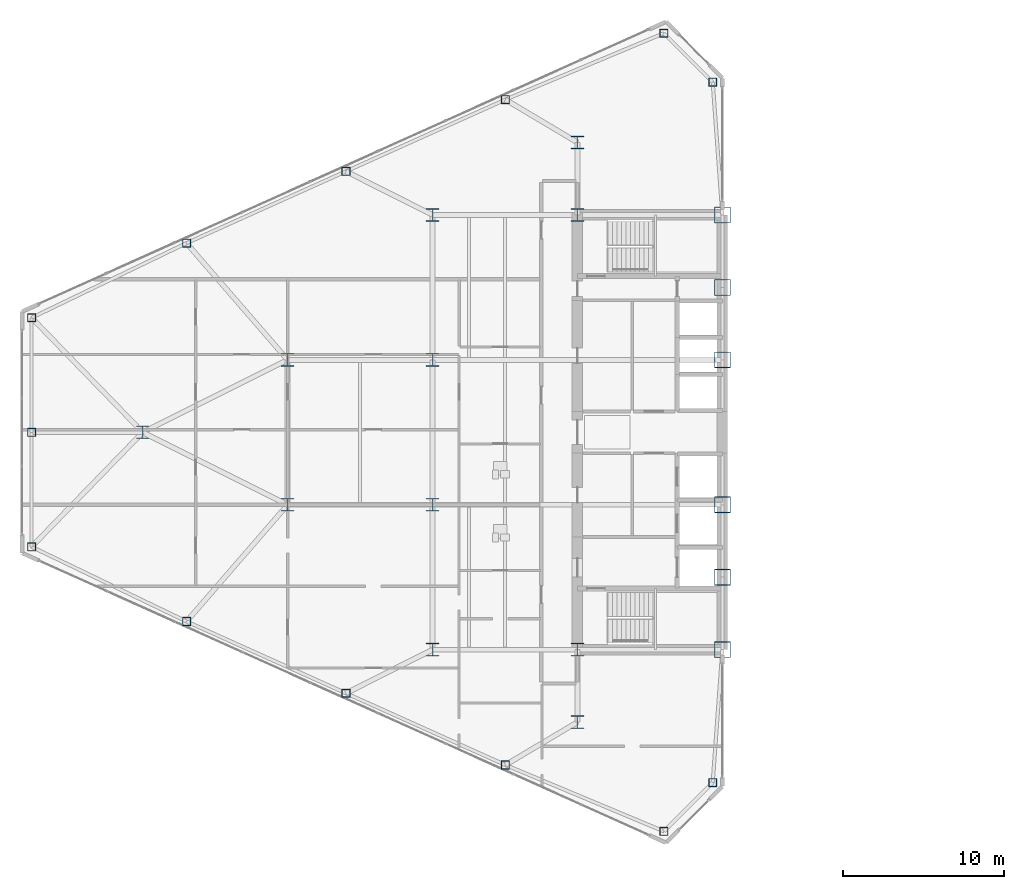
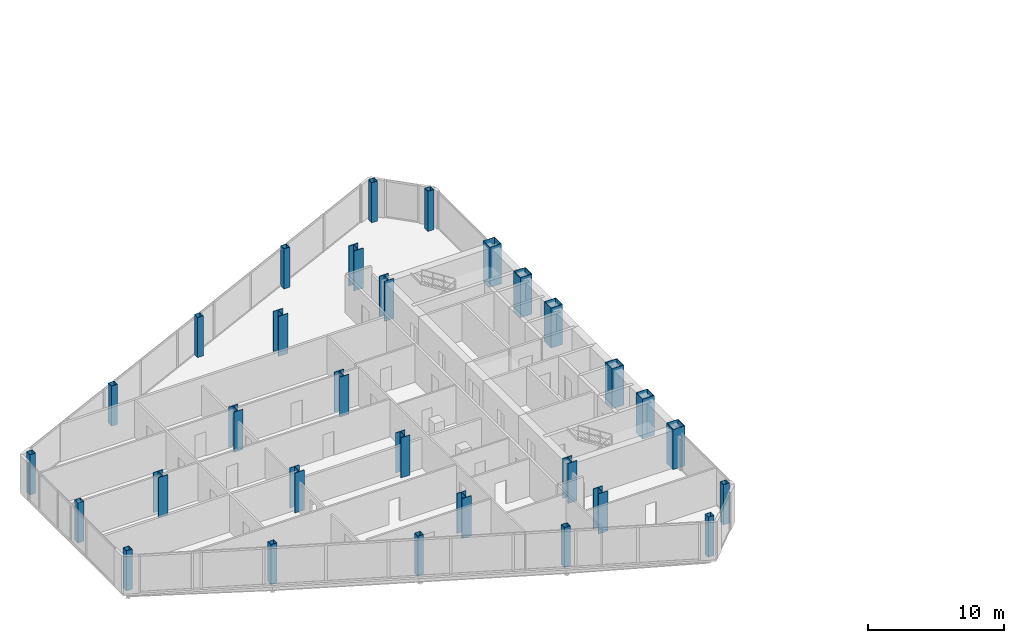
# One storey, part 1 of 27: 30 columns.
"""IFC4 building model written with IfcOpenShell, lengths in metres."""

from ifc_helpers import new_model, si_unit, direction, frame, origin, origin_2d, place, context, subcontext, project, spatial, hollow_rectangle, i_section, extrude, source, transform, mapped, material, material_profile, profile_set, type_object, type_shapes, element, save


model = new_model("IFC4")

# Units and contexts
model_context = context("Model", 3, precision=1e-05, world=origin(), true_north=direction((0.0, 1.0)))
body_context = subcontext(model_context, "Body", "Model", "MODEL_VIEW")
ifc_project = project(units=[si_unit("LENGTHUNIT", "METRE"), si_unit("AREAUNIT", "SQUARE_METRE"), si_unit("VOLUMEUNIT", "CUBIC_METRE"), si_unit("PLANEANGLEUNIT", "RADIAN"), si_unit("MASSUNIT", "GRAM", prefix="KILO")], contexts=[model_context])

# Site, building, storey
site_placement = place(None, origin())
site = spatial("IfcSite", under=ifc_project, at=site_placement, CompositionType="ELEMENT")
building_placement = place(site_placement, origin())
building = spatial("IfcBuilding", under=site, at=building_placement, Name="Seokmaru Belvedere", CompositionType="ELEMENT")
storey_placement = place(building_placement, frame((0.0, 0.0, 65.699951171875)))
storey = spatial("IfcBuildingStorey", under=building, at=storey_placement, Name="L17", CompositionType="ELEMENT", Elevation=65.699951171875)

# Columns
ifc_material_1 = material(Name="Steel SM355 (355 MPa)", Category="steel")
ifc_material_profile_1 = material_profile(ifc_material_1, hollow_rectangle(XDim=0.5, YDim=0.5, WallThickness=0.02001953125, at=origin_2d()), Name="HSS-500x500x20")
ifc_profile_set_1 = profile_set([ifc_material_profile_1], Name="Steel SM355 (355 MPa)")
column_type_1 = type_object("IfcColumnType", Name="Perimeter Facet Column HSS-500", PredefinedType="COLUMN", material=ifc_profile_set_1)
shared_shape_1 = source(origin(), body_context, "Body", "SweptSolid", [
    extrude(hollow_rectangle(XDim=0.5, YDim=0.5, WallThickness=0.02001953125, at=origin_2d()), origin(), (0.0, 0.0, 1.0), 3.60009765625),
])
type_shapes(column_type_1, [shared_shape_1])
for number, where, z_axis, x_axis, name in (
    (1, (-28.10009765625, -21.75146484375, 0.0), (0.0, 0.0, 1.0), (1.0, 0.0, 0.0), "L17 Column WF1"),
    (2, (-28.10009765625, 21.75146484375, 0.0), (0.0, 0.0, 1.0), (1.0, 0.0, 0.0), "L17 Column WF2"),
    (3, (-31.13134765625, 24.782958984375, 0.0), (0.0, 0.0, 1.0), (1.0, 0.0, 0.0), "L17 Column WF3"),
    (4, (-70.39990234375, 7.112060546875, 0.0), (0.0, 0.0, 1.0), (1.0, 0.0, 0.0), "L17 Column WF4"),
    (5, (-70.39990234375, -7.112060546875, 0.0), (0.0, 0.0, 1.0), (1.0, 0.0, 0.0), "L17 Column WF5"),
    (6, (-31.13134765625, -24.782958984375, 0.0), (0.0, 0.0, 1.0), (1.0, 0.0, 0.0), "L17 Column WF6"),
    (7, (-40.97265625, -20.661376953125, 0.0), (0.0, 0.0, 1.0), (1.0, 0.0, 0.0), "L17 Column WFLK_S1"),
    (8, (-50.875, -16.205322265625, 0.0), (0.0, 0.0, 1.0), (1.0, 0.0, 0.0), "L17 Column WFLK_S2"),
    (9, (-60.777587890625, -11.749267578125, 0.0), (0.0, 0.0, 1.0), (1.0, 0.0, 0.0), "L17 Column WFLK_S3"),
    (10, (-40.97265625, 20.661376953125, 0.0), (0.0, 0.0, 1.0), (1.0, 0.0, 0.0), "L17 Column WFLK_N1"),
    (11, (-50.875, 16.205322265625, 0.0), (0.0, 0.0, 1.0), (1.0, 0.0, 0.0), "L17 Column WFLK_N2"),
    (12, (-60.777587890625, 11.749267578125, 0.0), (0.0, 0.0, 1.0), (1.0, 0.0, 0.0), "L17 Column WFLK_N3"),
    (13, (-70.39990234375, 0.0, 0.0), (0.0, 0.0, 1.0), (1.0, 0.0, 0.0), "L17 Column WF_APXM"),
):
    element("IfcColumn", number, at=place(storey_placement, frame(where, z_axis=z_axis, x_axis=x_axis)), inside=storey, type_object=column_type_1, Name=name, PredefinedType="COLUMN", context=body_context, shape_type="MappedRepresentation", body=[
        mapped(shared_shape_1, transform((0.0, 0.0, 0.0), scale=1.0)),
    ])
ifc_material_2 = material(Name="Steel HSA650 (650 MPa)", Category="steel")
ifc_material_profile_2 = material_profile(ifc_material_2, hollow_rectangle(XDim=1.0, YDim=1.0, WallThickness=0.0419921875, at=origin_2d()), Name="BOX-1000x1000x42")
ifc_profile_set_2 = profile_set([ifc_material_profile_2], Name="Steel HSA650 (650 MPa)")
column_type_2 = type_object("IfcColumnType", Name="Portal Spine Column BOX-1000", PredefinedType="COLUMN", material=ifc_profile_set_2)
shared_shape_2 = source(origin(), body_context, "Body", "SweptSolid", [
    extrude(hollow_rectangle(XDim=1.0, YDim=1.0, WallThickness=0.0419921875, at=origin_2d()), origin(), (0.0, 0.0, 1.0), 3.60009765625),
])
type_shapes(column_type_2, [shared_shape_2])
for number, where, z_axis, x_axis, name in (
    (14, (-27.5, -13.5, 0.0), (0.0, 0.0, 1.0), (1.0, 0.0, 0.0), "L17 Column WS1"),
    (15, (-27.5, -9.0, 0.0), (0.0, 0.0, 1.0), (1.0, 0.0, 0.0), "L17 Column WS2"),
    (16, (-27.5, -4.5, 0.0), (0.0, 0.0, 1.0), (1.0, 0.0, 0.0), "L17 Column WS3"),
    (17, (-27.5, 4.5, 0.0), (0.0, 0.0, 1.0), (1.0, 0.0, 0.0), "L17 Column WS4"),
    (18, (-27.5, 9.0, 0.0), (0.0, 0.0, 1.0), (1.0, 0.0, 0.0), "L17 Column WS5"),
    (19, (-27.5, 13.5, 0.0), (0.0, 0.0, 1.0), (1.0, 0.0, 0.0), "L17 Column WS6"),
):
    element("IfcColumn", number, at=place(storey_placement, frame(where, z_axis=z_axis, x_axis=x_axis)), inside=storey, type_object=column_type_2, Name=name, PredefinedType="COLUMN", context=body_context, shape_type="MappedRepresentation", body=[
        mapped(shared_shape_2, transform((0.0, 0.0, 0.0), scale=1.0)),
    ])
ifc_material_profile_3 = material_profile(ifc_material_1, i_section(OverallWidth=0.800048828125, OverallDepth=0.800048828125, WebThickness=0.031982421875, FlangeThickness=0.050048828125, at=origin_2d()), Name="H-800x800x32x50")
ifc_profile_set_3 = profile_set([ifc_material_profile_3], Name="Steel SM355 (355 MPa)")
column_type_3 = type_object("IfcColumnType", Name="Lower-Mid Interior Column H-800", PredefinedType="COLUMN", material=ifc_profile_set_3)
shared_shape_3 = source(origin(), body_context, "Body", "SweptSolid", [
    extrude(i_section(OverallWidth=0.800048828125, OverallDepth=0.800048828125, WebThickness=0.031982421875, FlangeThickness=0.050048828125, at=origin_2d()), origin(), (0.0, 0.0, 1.0), 3.60009765625),
])
type_shapes(column_type_3, [shared_shape_3])
for number, where, z_axis, x_axis, name in (
    (20, (-36.5, -18.0, 0.0), (0.0, 0.0, 1.0), (1.0, 0.0, 0.0), "L17 Column WC1"),
    (21, (-36.5, -13.5, 0.0), (0.0, 0.0, 1.0), (1.0, 0.0, 0.0), "L17 Column WC2"),
    (22, (-36.5, 13.5, 0.0), (0.0, 0.0, 1.0), (1.0, 0.0, 0.0), "L17 Column WC3"),
    (23, (-36.5, 18.0, 0.0), (0.0, 0.0, 1.0), (1.0, 0.0, 0.0), "L17 Column WC4"),
    (24, (-45.5, -13.5, 0.0), (0.0, 0.0, 1.0), (1.0, 0.0, 0.0), "L17 Column WG5_1"),
    (25, (-45.5, -4.5, 0.0), (0.0, 0.0, 1.0), (1.0, 0.0, 0.0), "L17 Column WG5_2"),
    (26, (-45.5, 4.5, 0.0), (0.0, 0.0, 1.0), (1.0, 0.0, 0.0), "L17 Column WG5_3"),
    (27, (-45.5, 13.5, 0.0), (0.0, 0.0, 1.0), (1.0, 0.0, 0.0), "L17 Column WG5_4"),
    (28, (-54.5, -4.5, 0.0), (0.0, 0.0, 1.0), (1.0, 0.0, 0.0), "L17 Column WG4P_1"),
    (29, (-54.5, 4.5, 0.0), (0.0, 0.0, 1.0), (1.0, 0.0, 0.0), "L17 Column WG4P_2"),
    (30, (-63.5, 0.0, 0.0), (0.0, 0.0, 1.0), (1.0, 0.0, 0.0), "L17 Column WG3P_1"),
):
    element("IfcColumn", number, at=place(storey_placement, frame(where, z_axis=z_axis, x_axis=x_axis)), inside=storey, type_object=column_type_3, Name=name, PredefinedType="COLUMN", context=body_context, shape_type="MappedRepresentation", body=[
        mapped(shared_shape_3, transform((0.0, 0.0, 0.0), scale=1.0)),
    ])

save(model, "model.ifc")
